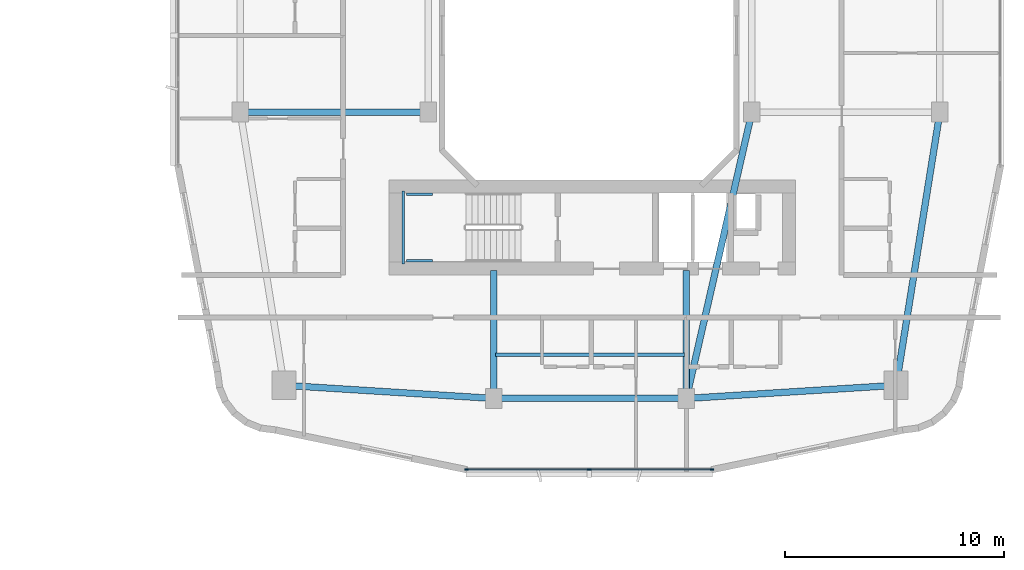
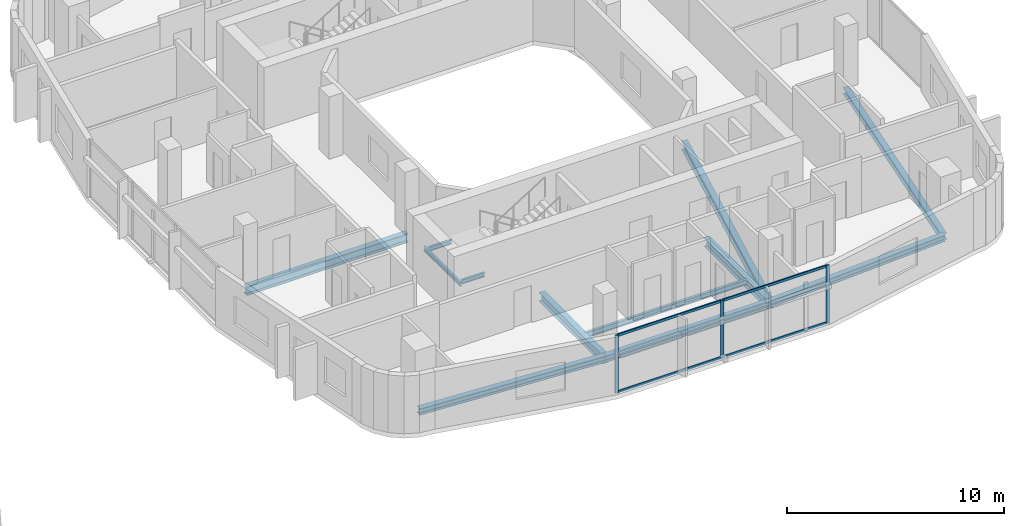
# One storey, part 8 of 26: 12 beams, 7 members, 1 element without a shape of its own.
"""IFC4 building model written with IfcOpenShell, lengths in metres."""

import ifcopenshell
import ifcopenshell.guid

model = None  # the IFC model being written
_history = None  # IfcOwnerHistory: only IFC2X3 demands one
_inside = {}  # id of a spatial element -> (the spatial element, [elements in it])
_under = {}  # id of a project, library or spatial element -> (it, [spatial elements below it])
_declared = {}  # id of a project -> (the project, [libraries it declares])
_typed = {}  # id of a type object -> (the type object, [elements of that type])
_made_of = {}  # id of a material, layer set ... -> (it, [elements and type objects made of it])


def new_model(schema):
    """Start an empty IFC model of exactly this schema.

    Asked for "IFC4X3", IfcOpenShell would pick the latest addendum, in which some entities
    have other attributes; the version numbers below select the first issue.
    IFC2X3 requires an IfcOwnerHistory on every rooted entity: one is made here for all.
    """
    global model, _history
    if schema == "IFC4X3":
        model = ifcopenshell.file(schema_version=(4, 3, 0, 0))
    else:
        model = ifcopenshell.file(schema=schema)
    _inside.clear()
    _under.clear()
    _declared.clear()
    _typed.clear()
    _made_of.clear()
    _history = None
    if model.schema == "IFC2X3":
        org = make("IfcOrganization", Name="unknown")
        user = make(
            "IfcPersonAndOrganization",
            ThePerson=make("IfcPerson", FamilyName="unknown"),
            TheOrganization=org,
        )
        app = make(
            "IfcApplication",
            ApplicationDeveloper=org,
            Version="unknown",
            ApplicationFullName="unknown",
            ApplicationIdentifier="unknown",
        )
        _history = make(
            "IfcOwnerHistory",
            OwningUser=user,
            OwningApplication=app,
            ChangeAction="ADDED",
            CreationDate=0,
        )
    return model


def make(cls, **values):
    """One entity of the class cls with the attributes given. An attribute that is None is left unset."""
    return model.create_entity(
        cls, **{name: value for name, value in values.items() if value is not None}
    )


def rooted(cls, **values):
    """An entity with a GlobalId (a new one), such as an element, a storey or a relation."""
    return make(cls, GlobalId=ifcopenshell.guid.new(), OwnerHistory=_history, **values)


def si_unit(unit_type, name, prefix=None):
    """IfcSIUnit, for example si_unit("LENGTHUNIT", "METRE", prefix="MILLI")."""
    return make("IfcSIUnit", UnitType=unit_type, Prefix=prefix, Name=name)


def derived_unit(unit_type, elements):
    """IfcDerivedUnit: a product of units, each with its exponent."""
    return make(
        "IfcDerivedUnit",
        Elements=[
            make("IfcDerivedUnitElement", Unit=unit, Exponent=power)
            for unit, power in elements
        ],
        UnitType=unit_type,
    )


def assignment(units):
    """IfcUnitAssignment: the units of a project."""
    return None if units is None else make("IfcUnitAssignment", Units=units)


def point(xyz):
    """IfcCartesianPoint."""
    return None if xyz is None else make("IfcCartesianPoint", Coordinates=xyz)


def direction(xyz):
    """IfcDirection."""
    return None if xyz is None else make("IfcDirection", DirectionRatios=xyz)


def frame(location, z_axis=None, x_axis=None):
    """IfcAxis2Placement3D, a coordinate frame: its origin and axes. An axis left out is left unset."""
    return make(
        "IfcAxis2Placement3D",
        Location=point(location),
        Axis=direction(z_axis),
        RefDirection=direction(x_axis),
    )


def frame_2d(location, x_axis=None):
    """IfcAxis2Placement2D, a coordinate frame in the plane: its origin and x axis."""
    return make(
        "IfcAxis2Placement2D", Location=point(location), RefDirection=direction(x_axis)
    )


def origin():
    """The frame at (0, 0, 0) with its axes left unset."""
    return frame((0.0, 0.0, 0.0))


def origin_2d():
    """The frame at (0, 0) in the plane with its x axis left unset."""
    return frame_2d((0.0, 0.0))


def place(relative_to, where):
    """IfcLocalPlacement: puts the frame where relative to a parent placement (None: the world)."""
    return make(
        "IfcLocalPlacement", PlacementRelTo=relative_to, RelativePlacement=where
    )


def context(
    kind, dimensions, precision=None, world=None, true_north=None, identifier=None
):
    """IfcGeometricRepresentationContext, for example the 3D "Model" context."""
    return make(
        "IfcGeometricRepresentationContext",
        ContextIdentifier=identifier,
        ContextType=kind,
        CoordinateSpaceDimension=dimensions,
        Precision=precision,
        WorldCoordinateSystem=world,
        TrueNorth=true_north,
    )


def subcontext(parent, identifier, kind, view, scale=None):
    """IfcGeometricRepresentationSubContext, for example "Body" below "Model"."""
    return make(
        "IfcGeometricRepresentationSubContext",
        ContextIdentifier=identifier,
        ContextType=kind,
        ParentContext=parent,
        TargetScale=scale,
        TargetView=view,
    )


def project(units=None, contexts=None):
    """IfcProject with its units and contexts."""
    return rooted(
        "IfcProject",
        Name="project",
        RepresentationContexts=contexts,
        UnitsInContext=assignment(units),
    )


def spatial(cls, under=None, at=None, **own):
    """A site, building, storey or space (cls), placed at a placement, below another one or the project."""
    s = rooted(cls, ObjectPlacement=at, **own)
    if under is not None:
        _under.setdefault(under.id(), (under, []))[1].append(s)
    return s


def profile(cls, at=None, kind="AREA", **sizes):
    """A parametric profile (cls). Its sizes go by their IFC names, for example OverallWidth=200.0."""
    return make(cls, ProfileType=kind, Position=at, **sizes)


def rectangle(**sizes):
    """IfcRectangleProfileDef."""
    return profile("IfcRectangleProfileDef", **sizes)


def i_section(**sizes):
    """IfcIShapeProfileDef."""
    return profile("IfcIShapeProfileDef", **sizes)


def extrude(swept, where, along, depth):
    """IfcExtrudedAreaSolid: the profile swept, set in the frame where, extruded along a direction by depth."""
    return make(
        "IfcExtrudedAreaSolid",
        SweptArea=swept,
        Position=where,
        ExtrudedDirection=direction(along),
        Depth=depth,
    )


def shape(context_of_items, identifier, shape_type, items):
    """IfcShapeRepresentation: the items that make up one representation, for example the "Body"."""
    return make(
        "IfcShapeRepresentation",
        ContextOfItems=context_of_items,
        RepresentationIdentifier=identifier,
        RepresentationType=shape_type,
        Items=items,
    )


def material(Name=None, Category=None):
    """IfcMaterial."""
    return make("IfcMaterial", Name=Name, Category=Category)


def layer(
    of_material, thickness, ventilated=None, Name=None, Category=None, Priority=None
):
    """IfcMaterialLayer: one layer of a wall or slab, of a material (None: an air gap)."""
    return make(
        "IfcMaterialLayer",
        Material=of_material,
        LayerThickness=thickness,
        IsVentilated=ventilated,
        Name=Name,
        Category=Category,
        Priority=Priority,
    )


def layer_set(layers, Name=None):
    """IfcMaterialLayerSet."""
    return make("IfcMaterialLayerSet", MaterialLayers=layers, LayerSetName=Name)


def material_profile(
    of_material, cross_section, Name=None, Category=None, Priority=None
):
    """IfcMaterialProfile: a cross section and its material."""
    return make(
        "IfcMaterialProfile",
        Name=Name,
        Material=of_material,
        Profile=cross_section,
        Priority=Priority,
        Category=Category,
    )


def profile_set(profiles, Name=None, composite=None):
    """IfcMaterialProfileSet."""
    return make(
        "IfcMaterialProfileSet",
        Name=Name,
        MaterialProfiles=profiles,
        CompositeProfile=composite,
    )


def made_of(thing, what):
    """Note that an element or type object is made of a material, layer set ...; save() writes the relation."""
    if what is not None:
        _made_of.setdefault(what.id(), (what, []))[1].append(thing)
    return thing


def type_object(cls, material=None, **own):
    """A type object (cls), such as IfcWallType, which elements share."""
    return made_of(rooted(cls, **own), material)


def element(
    cls,
    number,
    at=None,
    inside=None,
    cuts=None,
    type_object=None,
    material=None,
    context=None,
    identifier="Body",
    shape_type=None,
    held_by="IfcProductDefinitionShape",
    body=None,
    shapes=None,
    **own,
):
    """One element of the class cls, such as IfcWall. Its Tag is "e" and its number.

    at: its placement. inside: the storey or other place that contains it. cuts: it is an
    opening in that element (IfcRelVoidsElement). A single representation is given by context,
    identifier, shape_type and body (its items); several are given by shapes. held_by: the class
    of the entity that holds the representations. save() writes the other relations.
    """
    e = rooted(cls, Tag="e%d" % number, ObjectPlacement=at, **own)
    if body is not None:
        shapes = [shape(context, identifier, shape_type, body)]
    if shapes is not None:
        e.Representation = make(held_by, Representations=shapes)
    if inside is not None:
        _inside.setdefault(inside.id(), (inside, []))[1].append(e)
    if cuts is not None:
        rooted(
            "IfcRelVoidsElement", RelatingBuildingElement=cuts, RelatedOpeningElement=e
        )
    if type_object is not None:
        _typed.setdefault(type_object.id(), (type_object, []))[1].append(e)
    return made_of(e, material)


def aggregate(whole, parts):
    """IfcRelAggregates: a whole, such as a stair, and the parts it consists of."""
    return rooted("IfcRelAggregates", RelatingObject=whole, RelatedObjects=parts)


def save(model, path):
    """Write the relations noted so far, then the file.

    IfcRelAggregates (storeys below a building ...), IfcRelContainedInSpatialStructure (elements
    in a storey), IfcRelDefinesByType, IfcRelAssociatesMaterial and IfcRelDeclares: one each for
    every whole, place, type object, material and project.
    """
    for whole, parts in _under.values():
        aggregate(whole, parts)
    for where, things in _inside.values():
        rooted(
            "IfcRelContainedInSpatialStructure",
            RelatedElements=things,
            RelatingStructure=where,
        )
    for kind, things in _typed.values():
        rooted("IfcRelDefinesByType", RelatedObjects=things, RelatingType=kind)
    for what, things in _made_of.values():
        rooted("IfcRelAssociatesMaterial", RelatedObjects=things, RelatingMaterial=what)
    for by, libraries in _declared.values():
        rooted("IfcRelDeclares", RelatingContext=by, RelatedDefinitions=libraries)
    model.write(path)


model = new_model("IFC4")

# Units and contexts
model_context = context("Model", 3, precision=1e-05, world=origin(), true_north=direction((0.0, 1.0)))
body_context = subcontext(model_context, "Body", "Model", "MODEL_VIEW")
ifc_project = project(units=[si_unit("LENGTHUNIT", "METRE"), si_unit("AREAUNIT", "SQUARE_METRE"), si_unit("VOLUMEUNIT", "CUBIC_METRE"), si_unit("PLANEANGLEUNIT", "RADIAN"), si_unit("MASSUNIT", "GRAM", prefix="KILO"), derived_unit("THERMALTRANSMITTANCEUNIT", [(si_unit("POWERUNIT", "WATT"), 1), (si_unit("LENGTHUNIT", "METRE"), -2), (si_unit("THERMODYNAMICTEMPERATUREUNIT", "KELVIN"), -1)])], contexts=[model_context])

# Site, building, storey
site_placement = place(None, origin())
site = spatial("IfcSite", under=ifc_project, at=site_placement, CompositionType="ELEMENT")
building_placement = place(site_placement, origin())
building = spatial("IfcBuilding", under=site, at=building_placement, Name="Kivonza Crest Hotel", CompositionType="ELEMENT")
storey_placement = place(building_placement, frame((0.0, 0.0, 45.0)))
storey = spatial("IfcBuildingStorey", under=building, at=storey_placement, Name="L11", CompositionType="ELEMENT", Elevation=45.0)

# Beams
ifc_material_1 = material(Name="Steel S355", Category="steel")
ifc_material_profile_1 = material_profile(ifc_material_1, i_section(OverallWidth=0.300048828125, OverallDepth=0.360107421875, WebThickness=0.012451171875, FlangeThickness=0.0224609375, FilletRadius=0.027099609375, at=origin_2d()), Name="HEB 360")
ifc_profile_set_1 = profile_set([ifc_material_profile_1], Name="Steel S355")
beam_type_1 = type_object("IfcBeamType", Name="BM-HEB360", PredefinedType="SPANDREL", material=ifc_profile_set_1)
beam_1_placement = place(storey_placement, frame((72.60009765625, 8.39990234375, -0.429931640625), z_axis=(1.0, 0.0, 0.0), x_axis=(0.0, 1.0, 0.0)))
element("IfcBeam", 1, at=beam_1_placement, inside=storey, type_object=beam_type_1, Name="Companion Tower T2 L11 perimeter spandrel S1-S2", PredefinedType="SPANDREL", context=body_context, shape_type="SweptSolid", body=[
    extrude(i_section(OverallWidth=0.300048828125, OverallDepth=0.360107421875, WebThickness=0.012451171875, FlangeThickness=0.0224609375, FilletRadius=0.027099609375, at=origin_2d()), origin(), (0.0, 0.0, 1.0), 8.7998046875),
])
beam_2_placement = place(storey_placement, frame((81.39990234375, 8.39990234375, -0.429931640625), z_axis=(0.998051985873, 0.062387767186, 0.0), x_axis=(-0.062387767186, 0.998051985873, 0.0)))
element("IfcBeam", 2, at=beam_2_placement, inside=storey, type_object=beam_type_1, Name="Companion Tower T2 L11 perimeter spandrel S2-SE", PredefinedType="SPANDREL", context=body_context, shape_type="SweptSolid", body=[
    extrude(i_section(OverallWidth=0.300048828125, OverallDepth=0.360107421875, WebThickness=0.012451171875, FlangeThickness=0.0224609375, FilletRadius=0.027099609375, at=origin_2d()), origin(), (0.0, 0.0, 1.0), 9.618896484375),
])
beam_3_placement = place(storey_placement, frame((91.0, 9.0, -0.429931640625), z_axis=(0.157990501107, 0.987440631917, 0.0), x_axis=(-0.987440631917, 0.157990501107, 0.0)))
element("IfcBeam", 3, at=beam_3_placement, inside=storey, type_object=beam_type_1, Name="Companion Tower T2 L11 perimeter spandrel SE-E1", PredefinedType="SPANDREL", context=body_context, shape_type="SweptSolid", body=[
    extrude(i_section(OverallWidth=0.300048828125, OverallDepth=0.360107421875, WebThickness=0.012451171875, FlangeThickness=0.0224609375, FilletRadius=0.027099609375, at=origin_2d()), origin(), (0.0, 0.0, 1.0), 12.658935546875),
])
beam_4_placement = place(storey_placement, frame((63.0, 9.0, -0.429931640625), z_axis=(0.998051985873, -0.062387767186, 0.0), x_axis=(0.062387767186, 0.998051985873, 0.0)))
element("IfcBeam", 4, at=beam_4_placement, inside=storey, type_object=beam_type_1, Name="Companion Tower T2 L11 perimeter spandrel SW-S1", PredefinedType="SPANDREL", context=body_context, shape_type="SweptSolid", body=[
    extrude(i_section(OverallWidth=0.300048828125, OverallDepth=0.360107421875, WebThickness=0.012451171875, FlangeThickness=0.0224609375, FilletRadius=0.027099609375, at=origin_2d()), origin(), (0.0, 0.0, 1.0), 9.618896484375),
])
ifc_material_profile_2 = material_profile(ifc_material_1, i_section(OverallWidth=0.300048828125, OverallDepth=0.5, WebThickness=0.014404296875, FlangeThickness=0.028076171875, FilletRadius=0.027099609375, at=origin_2d()), Name="HEB 500")
ifc_profile_set_2 = profile_set([ifc_material_profile_2], Name="Steel S355")
beam_type_2 = type_object("IfcBeamType", Name="BM-HEB500", PredefinedType="BEAM", material=ifc_profile_set_2)
beam_5_placement = place(storey_placement, frame((61.0, 21.5, -0.5), z_axis=(1.0, 0.0, 0.0), x_axis=(0.0, 1.0, 0.0)))
element("IfcBeam", 5, at=beam_5_placement, inside=storey, type_object=beam_type_2, Name="Companion Tower T2 L11 girder W1-WL1", PredefinedType="BEAM", context=body_context, shape_type="SweptSolid", body=[
    extrude(i_section(OverallWidth=0.300048828125, OverallDepth=0.5, WebThickness=0.014404296875, FlangeThickness=0.028076171875, FilletRadius=0.027099609375, at=origin_2d()), origin(), (0.0, 0.0, 1.0), 8.60009765625),
])
beam_6_placement = place(storey_placement, frame((84.39990234375, 21.5, -0.5), z_axis=(-0.223227287589, -0.974766422317, 0.0), x_axis=(0.974766422317, -0.223227287589, 0.0)))
element("IfcBeam", 6, at=beam_6_placement, inside=storey, type_object=beam_type_2, Name="Companion Tower T2 L11 girder WR1-S2", PredefinedType="BEAM", context=body_context, shape_type="SweptSolid", body=[
    extrude(i_section(OverallWidth=0.300048828125, OverallDepth=0.5, WebThickness=0.014404296875, FlangeThickness=0.028076171875, FilletRadius=0.027099609375, at=origin_2d()), origin(), (0.0, 0.0, 1.0), 13.439208984375),
])
for number, where, z_axis, x_axis, name in (
    (7, (72.60009765625, 8.39990234375, -0.5), (0.0, 1.0, 0.0), (-1.0, 0.0, 0.0), "Companion T2 L11 radial core girder RS1"),
    (8, (81.39990234375, 8.39990234375, -0.5), (0.0, 1.0, 0.0), (-1.0, 0.0, 0.0), "Companion T2 L11 radial core girder RS2"),
):
    element("IfcBeam", number, at=place(storey_placement, frame(where, z_axis=z_axis, x_axis=x_axis)), inside=storey, type_object=beam_type_2, Name=name, PredefinedType="BEAM", context=body_context, shape_type="SweptSolid", body=[
        extrude(i_section(OverallWidth=0.300048828125, OverallDepth=0.5, WebThickness=0.014404296875, FlangeThickness=0.028076171875, FilletRadius=0.027099609375, at=origin_2d()), origin(), (0.0, 0.0, 1.0), 5.85009765625),
    ])
ifc_material_profile_3 = material_profile(ifc_material_1, i_section(OverallWidth=0.14990234375, OverallDepth=0.300048828125, WebThickness=0.007080078125, FlangeThickness=0.0107421875, FilletRadius=0.014892578125, at=origin_2d()), Name="IPE 300")
ifc_profile_set_3 = profile_set([ifc_material_profile_3], Name="Steel S355")
beam_type_3 = type_object("IfcBeamType", Name="BM-IPE300", PredefinedType="JOIST", material=ifc_profile_set_3)
beam_7_placement = place(storey_placement, frame((72.679931640625, 10.39990234375, -0.39990234375), z_axis=(1.0, 0.0, 0.0), x_axis=(0.0, 1.0, 0.0)))
element("IfcBeam", 9, at=beam_7_placement, inside=storey, type_object=beam_type_3, Name="Companion Tower T2 L11 South floor joist", PredefinedType="JOIST", context=body_context, shape_type="SweptSolid", body=[
    extrude(i_section(OverallWidth=0.14990234375, OverallDepth=0.300048828125, WebThickness=0.007080078125, FlangeThickness=0.0107421875, FilletRadius=0.014892578125, at=origin_2d()), origin(), (0.0, 0.0, 1.0), 8.64013671875),
])
ifc_material_profile_4 = material_profile(ifc_material_1, i_section(OverallWidth=0.1201171875, OverallDepth=0.239990234375, WebThickness=0.006103515625, FlangeThickness=0.009765625, FilletRadius=0.014892578125, at=origin_2d()), Name="IPE 240")
ifc_profile_set_4 = profile_set([ifc_material_profile_4], Name="Steel S355")
beam_type_4 = type_object("IfcBeamType", Name="BM-LLDG-240", PredefinedType="BEAM", material=ifc_profile_set_4)
beam_8_placement = place(storey_placement, frame((68.4599609375, 14.5400390625, 1.429931640625), z_axis=(0.0, 1.0, 0.0), x_axis=(-1.0, 0.0, 0.0)))
element("IfcBeam", 10, at=beam_8_placement, inside=storey, type_object=beam_type_4, Name="Stair ST-T2-S L11 West landing corbel", PredefinedType="BEAM", context=body_context, shape_type="SweptSolid", body=[
    extrude(i_section(OverallWidth=0.1201171875, OverallDepth=0.239990234375, WebThickness=0.006103515625, FlangeThickness=0.009765625, FilletRadius=0.014892578125, at=origin_2d()), origin(), (0.0, 0.0, 1.0), 3.35986328125),
])
for number, where, z_axis, x_axis, name in (
    (11, (68.590087890625, 14.699951171875, 1.429931640625), (1.0, 0.0, 0.0), (0.0, 1.0, 0.0), "Stair ST-T2-S L11 South landing corbel"),
    (12, (68.590087890625, 17.739990234375, 1.429931640625), (1.0, 0.0, 0.0), (0.0, 1.0, 0.0), "Stair ST-T2-S L11 North landing corbel"),
):
    element("IfcBeam", number, at=place(storey_placement, frame(where, z_axis=z_axis, x_axis=x_axis)), inside=storey, type_object=beam_type_4, Name=name, PredefinedType="BEAM", context=body_context, shape_type="SweptSolid", body=[
        extrude(i_section(OverallWidth=0.1201171875, OverallDepth=0.239990234375, WebThickness=0.006103515625, FlangeThickness=0.009765625, FilletRadius=0.014892578125, at=origin_2d()), origin(), (0.0, 0.0, 1.0), 1.2099609375),
    ])

# Curtain wall, members
ifc_material_2 = material(Name="Anodised bronze aluminium and low-E double glazing", Category="aluminium")
ifc_layer = layer(ifc_material_2, 0.179931640625)
ifc_layer_set = layer_set([ifc_layer], Name="Anodised bronze aluminium and low-E double glazing")
curtain_wall_type = type_object("IfcCurtainWallType", Name="CW-SYS-4", PredefinedType="NOTDEFINED", material=ifc_layer_set)
curtain_wall_placement = place(storey_placement, origin())
curtain_wall = element("IfcCurtainWall", 13, at=curtain_wall_placement, inside=storey, type_object=curtain_wall_type, Name="L11 unitised curtain wall CW-T2-L11-08", PredefinedType="NOTDEFINED")
ifc_material_3 = material(Name="Anodised bronze aluminium", Category="aluminium")
ifc_material_profile_5 = material_profile(ifc_material_3, rectangle(XDim=0.06494140625, YDim=0.179931640625, at=origin_2d()), Name="CW-M 65x180")
ifc_profile_set_5 = profile_set([ifc_material_profile_5], Name="Anodised bronze aluminium")
member_type_1 = type_object("IfcMemberType", Name="CW-MUL-65x180", PredefinedType="MULLION", material=ifc_profile_set_5)
member_1_placement = place(storey_placement, frame((71.344482421875, 5.159912109375, 0.0), z_axis=(0.0, 0.0, 1.0), x_axis=(0.0, 1.0, 0.0)))
member_1 = element("IfcMember", 14, at=member_1_placement, type_object=member_type_1, Name="CW-4 mullion 1", PredefinedType="MULLION", context=body_context, shape_type="SweptSolid", body=[
    extrude(rectangle(XDim=0.06494140625, YDim=0.179931640625, at=origin_2d()), origin(), (0.0, 0.0, 1.0), 3.25),
])
member_2_placement = place(storey_placement, frame((76.9599609375, 5.159912109375, 0.0), z_axis=(0.0, 0.0, 1.0), x_axis=(0.0, 1.0, 0.0)))
member_2 = element("IfcMember", 15, at=member_2_placement, type_object=member_type_1, Name="CW-4 mullion 2", PredefinedType="MULLION", context=body_context, shape_type="SweptSolid", body=[
    extrude(rectangle(XDim=0.06494140625, YDim=0.179931640625, at=origin_2d()), origin(), (0.0, 0.0, 1.0), 3.25),
])
member_3_placement = place(storey_placement, frame((82.575439453125, 5.159912109375, 0.0), z_axis=(0.0, 0.0, 1.0), x_axis=(0.0, 1.0, 0.0)))
member_3 = element("IfcMember", 16, at=member_3_placement, type_object=member_type_1, Name="CW-4 mullion 3", PredefinedType="MULLION", context=body_context, shape_type="SweptSolid", body=[
    extrude(rectangle(XDim=0.06494140625, YDim=0.179931640625, at=origin_2d()), origin(), (0.0, 0.0, 1.0), 3.25),
])
ifc_material_profile_6 = material_profile(ifc_material_3, rectangle(XDim=0.06494140625, YDim=0.139892578125, at=origin_2d()), Name="CW-T 65x140")
ifc_profile_set_6 = profile_set([ifc_material_profile_6], Name="Anodised bronze aluminium")
member_type_2 = type_object("IfcMemberType", Name="CW-TRN-65x140", PredefinedType="USERDEFINED", material=ifc_profile_set_6)
member_4_placement = place(storey_placement, frame((71.376953125, 5.159912109375, 0.032470703125), z_axis=(1.0, 0.0, 0.0), x_axis=(0.0, 1.0, 0.0)))
member_4 = element("IfcMember", 17, at=member_4_placement, type_object=member_type_2, Name="CW-4 transom 1.1", ObjectType="TRANSOM", PredefinedType="USERDEFINED", context=body_context, shape_type="SweptSolid", body=[
    extrude(rectangle(XDim=0.06494140625, YDim=0.139892578125, at=origin_2d()), origin(), (0.0, 0.0, 1.0), 5.550537109375),
])
member_5_placement = place(storey_placement, frame((71.376953125, 5.159912109375, 3.217529296875), z_axis=(1.0, 0.0, 0.0), x_axis=(0.0, 1.0, 0.0)))
member_5 = element("IfcMember", 18, at=member_5_placement, type_object=member_type_2, Name="CW-4 transom 1.2", ObjectType="TRANSOM", PredefinedType="USERDEFINED", context=body_context, shape_type="SweptSolid", body=[
    extrude(rectangle(XDim=0.06494140625, YDim=0.139892578125, at=origin_2d()), origin(), (0.0, 0.0, 1.0), 5.550537109375),
])
member_6_placement = place(storey_placement, frame((76.992431640625, 5.159912109375, 0.032470703125), z_axis=(1.0, 0.0, 0.0), x_axis=(0.0, 1.0, 0.0)))
member_6 = element("IfcMember", 19, at=member_6_placement, type_object=member_type_2, Name="CW-4 transom 2.1", ObjectType="TRANSOM", PredefinedType="USERDEFINED", context=body_context, shape_type="SweptSolid", body=[
    extrude(rectangle(XDim=0.06494140625, YDim=0.139892578125, at=origin_2d()), origin(), (0.0, 0.0, 1.0), 5.550537109375),
])
member_7_placement = place(storey_placement, frame((76.992431640625, 5.159912109375, 3.217529296875), z_axis=(1.0, 0.0, 0.0), x_axis=(0.0, 1.0, 0.0)))
member_7 = element("IfcMember", 20, at=member_7_placement, type_object=member_type_2, Name="CW-4 transom 2.2", ObjectType="TRANSOM", PredefinedType="USERDEFINED", context=body_context, shape_type="SweptSolid", body=[
    extrude(rectangle(XDim=0.06494140625, YDim=0.139892578125, at=origin_2d()), origin(), (0.0, 0.0, 1.0), 5.550537109375),
])
aggregate(curtain_wall, [member_1, member_2, member_3, member_4, member_5, member_6, member_7])

save(model, "model.ifc")
